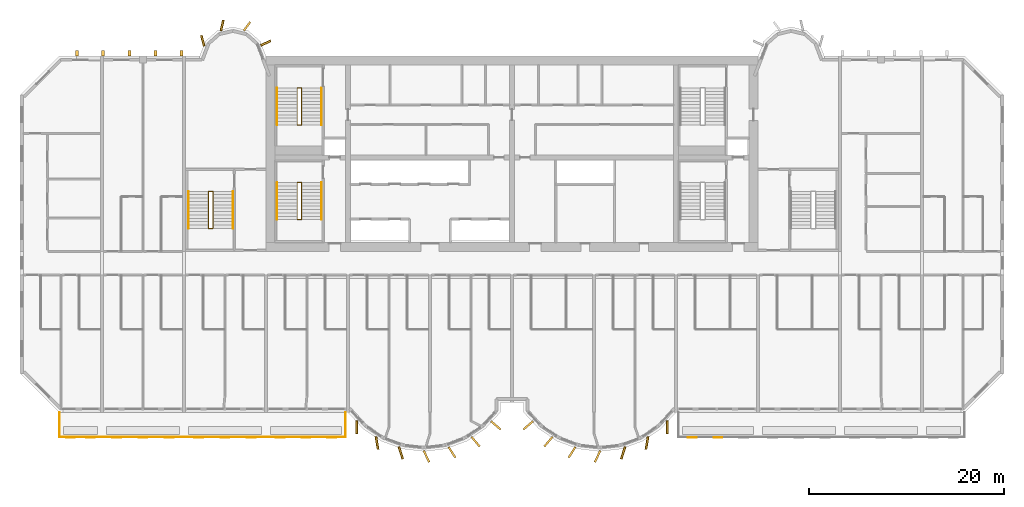
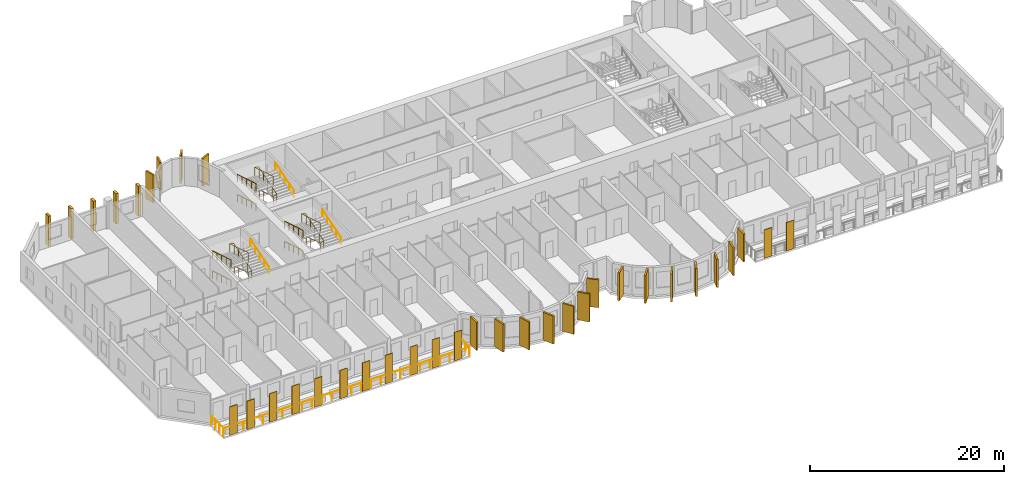
# One storey, part 12 of 14: 36 coverings, 13 railings.
"""IFC4 building model written with IfcOpenShell, lengths in metres."""

from ifc_helpers import new_model, si_unit, direction, frame, origin, origin_2d, place, context, subcontext, project, spatial, rectangle, circle, extrude, source, transform, mapped, material, layer, layer_set, material_profile, profile_set, type_object, element, save


model = new_model("IFC4")

# Units and contexts
model_context = context("Model", 3, precision=1e-05, world=origin(), true_north=direction((0.0, 1.0)))
body_context = subcontext(model_context, "Body", "Model", "MODEL_VIEW")
ifc_project = project(units=[si_unit("LENGTHUNIT", "METRE"), si_unit("AREAUNIT", "SQUARE_METRE"), si_unit("VOLUMEUNIT", "CUBIC_METRE"), si_unit("PLANEANGLEUNIT", "RADIAN"), si_unit("MASSUNIT", "GRAM", prefix="KILO")], contexts=[model_context])

# Site, building, storey
site_placement = place(None, origin())
site = spatial("IfcSite", under=ifc_project, at=site_placement, CompositionType="ELEMENT")
building_placement = place(site_placement, origin())
building = spatial("IfcBuilding", under=site, at=building_placement, Name="Vanashikhar Sky Hotel", CompositionType="ELEMENT")
storey_placement = place(building_placement, frame((0.0, 0.0, 102.800048828125)))
storey = spatial("IfcBuildingStorey", under=building, at=storey_placement, Name="L24", CompositionType="ELEMENT", Elevation=102.800048828125)

# Railing
ifc_material_1 = material(Name="Stainless steel 316", Category="steel")
railing_type_1 = type_object("IfcRailingType", Name="Balcony guard 1100", PredefinedType="GUARDRAIL", material=ifc_material_1)
shared_shape_1 = source(origin(), body_context, "Body", "SweptSolid", [
    extrude(circle(Radius=0.02392578125, at=origin_2d()), frame((0.0, 0.0, 1.076171875), z_axis=(0.0, -1.0, 0.0), x_axis=(1.0, 0.0, 0.0)), (0.0, 0.0, 1.0), 2.5),
    extrude(circle(Radius=0.02392578125, at=origin_2d()), frame((0.0, -2.5, 1.076171875), z_axis=(1.0, 0.0, 0.0), x_axis=(0.0, 1.0, 0.0)), (0.0, 0.0, 1.0), 29.280029296875),
    extrude(circle(Radius=0.02392578125, at=origin_2d()), frame((29.280029296875, -2.5, 1.076171875), z_axis=(0.0, 1.0, 0.0), x_axis=(-1.0, 0.0, 0.0)), (0.0, 0.0, 1.0), 2.5),
    extrude(circle(Radius=0.02099609375, at=origin_2d()), origin(), (0.0, 0.0, 1.0), 1.052001953125),
    extrude(circle(Radius=0.02099609375, at=origin_2d()), frame((0.0, -0.833251953125, 0.0)), (0.0, 0.0, 1.0), 1.052001953125),
    extrude(circle(Radius=0.02099609375, at=origin_2d()), frame((0.0, -1.666748046875, 0.0)), (0.0, 0.0, 1.0), 1.052001953125),
    extrude(circle(Radius=0.02099609375, at=origin_2d()), frame((0.0, -2.5, 0.0)), (0.0, 0.0, 1.0), 1.052001953125),
    extrude(circle(Radius=0.02099609375, at=origin_2d()), frame((1.171142578125, -2.5, 0.0)), (0.0, 0.0, 1.0), 1.052001953125),
    extrude(circle(Radius=0.02099609375, at=origin_2d()), frame((2.34228515625, -2.5, 0.0)), (0.0, 0.0, 1.0), 1.052001953125),
    extrude(circle(Radius=0.02099609375, at=origin_2d()), frame((3.513671875, -2.5, 0.0)), (0.0, 0.0, 1.0), 1.052001953125),
    extrude(circle(Radius=0.02099609375, at=origin_2d()), frame((4.684814453125, -2.5, 0.0)), (0.0, 0.0, 1.0), 1.052001953125),
    extrude(circle(Radius=0.02099609375, at=origin_2d()), frame((5.85595703125, -2.5, 0.0)), (0.0, 0.0, 1.0), 1.052001953125),
    extrude(circle(Radius=0.02099609375, at=origin_2d()), frame((7.027099609375, -2.5, 0.0)), (0.0, 0.0, 1.0), 1.052001953125),
    extrude(circle(Radius=0.02099609375, at=origin_2d()), frame((8.198486328125, -2.5, 0.0)), (0.0, 0.0, 1.0), 1.052001953125),
    extrude(circle(Radius=0.02099609375, at=origin_2d()), frame((9.36962890625, -2.5, 0.0)), (0.0, 0.0, 1.0), 1.052001953125),
    extrude(circle(Radius=0.02099609375, at=origin_2d()), frame((10.540771484375, -2.5, 0.0)), (0.0, 0.0, 1.0), 1.052001953125),
    extrude(circle(Radius=0.02099609375, at=origin_2d()), frame((11.7119140625, -2.5, 0.0)), (0.0, 0.0, 1.0), 1.052001953125),
    extrude(circle(Radius=0.02099609375, at=origin_2d()), frame((12.88330078125, -2.5, 0.0)), (0.0, 0.0, 1.0), 1.052001953125),
    extrude(circle(Radius=0.02099609375, at=origin_2d()), frame((14.054443359375, -2.5, 0.0)), (0.0, 0.0, 1.0), 1.052001953125),
    extrude(circle(Radius=0.02099609375, at=origin_2d()), frame((15.2255859375, -2.5, 0.0)), (0.0, 0.0, 1.0), 1.052001953125),
    extrude(circle(Radius=0.02099609375, at=origin_2d()), frame((16.396728515625, -2.5, 0.0)), (0.0, 0.0, 1.0), 1.052001953125),
    extrude(circle(Radius=0.02099609375, at=origin_2d()), frame((17.568115234375, -2.5, 0.0)), (0.0, 0.0, 1.0), 1.052001953125),
    extrude(circle(Radius=0.02099609375, at=origin_2d()), frame((18.7392578125, -2.5, 0.0)), (0.0, 0.0, 1.0), 1.052001953125),
    extrude(circle(Radius=0.02099609375, at=origin_2d()), frame((19.910400390625, -2.5, 0.0)), (0.0, 0.0, 1.0), 1.052001953125),
    extrude(circle(Radius=0.02099609375, at=origin_2d()), frame((21.08154296875, -2.5, 0.0)), (0.0, 0.0, 1.0), 1.052001953125),
    extrude(circle(Radius=0.02099609375, at=origin_2d()), frame((22.2529296875, -2.5, 0.0)), (0.0, 0.0, 1.0), 1.052001953125),
    extrude(circle(Radius=0.02099609375, at=origin_2d()), frame((23.424072265625, -2.5, 0.0)), (0.0, 0.0, 1.0), 1.052001953125),
    extrude(circle(Radius=0.02099609375, at=origin_2d()), frame((24.59521484375, -2.5, 0.0)), (0.0, 0.0, 1.0), 1.052001953125),
    extrude(circle(Radius=0.02099609375, at=origin_2d()), frame((25.766357421875, -2.5, 0.0)), (0.0, 0.0, 1.0), 1.052001953125),
    extrude(circle(Radius=0.02099609375, at=origin_2d()), frame((26.937744140625, -2.5, 0.0)), (0.0, 0.0, 1.0), 1.052001953125),
    extrude(circle(Radius=0.02099609375, at=origin_2d()), frame((28.10888671875, -2.5, 0.0)), (0.0, 0.0, 1.0), 1.052001953125),
    extrude(circle(Radius=0.02099609375, at=origin_2d()), frame((29.280029296875, -2.5, 0.0)), (0.0, 0.0, 1.0), 1.052001953125),
    extrude(circle(Radius=0.02099609375, at=origin_2d()), frame((29.280029296875, -1.666748046875, 0.0)), (0.0, 0.0, 1.0), 1.052001953125),
    extrude(circle(Radius=0.02099609375, at=origin_2d()), frame((29.280029296875, -0.833251953125, 0.0)), (0.0, 0.0, 1.0), 1.052001953125),
    extrude(circle(Radius=0.02099609375, at=origin_2d()), frame((29.280029296875, 0.0, 0.0)), (0.0, 0.0, 1.0), 1.052001953125),
])
railing_1_placement = place(storey_placement, frame((4.06005859375, 5.5, -0.050048828125)))
element("IfcRailing", 1, at=railing_1_placement, inside=storey, type_object=railing_type_1, Name="Balcony guard", PredefinedType="GUARDRAIL", context=body_context, shape_type="MappedRepresentation", body=[
    mapped(shared_shape_1, transform((0.0, 0.0, 0.0), scale=1.0)),
])

# Coverings
ifc_material_2 = material(Name="Terracotta", Category="masonry")
ifc_layer = layer(ifc_material_2, 0.06005859375)
ifc_layer_set = layer_set([ifc_layer], Name="Terracotta baguette screen")
covering_type_1 = type_object("IfcCoveringType", Name="Terracotta baguette screen", PredefinedType="CLADDING", material=ifc_layer_set)
shared_shape_2 = source(origin(), body_context, "Body", "SweptSolid", [
    extrude(rectangle(XDim=0.89990234375, YDim=0.06005859375, at=origin_2d()), origin(), (0.0, 0.0, 1.0), 3.60009765625),
])
for number, where, z_axis, x_axis, name in (
    (2, (5.175048828125, 2.929931640625, -0.050048828125), (0.0, 0.0, 1.0), (1.0, 0.0, 0.0), "Terracotta screen"),
    (3, (7.22509765625, 2.929931640625, -0.050048828125), (0.0, 0.0, 1.0), (1.0, 0.0, 0.0), "Terracotta screen"),
    (4, (9.89990234375, 2.929931640625, -0.050048828125), (0.0, 0.0, 1.0), (1.0, 0.0, 0.0), "Terracotta screen"),
    (5, (12.60009765625, 2.929931640625, -0.050048828125), (0.0, 0.0, 1.0), (1.0, 0.0, 0.0), "Terracotta screen"),
    (6, (15.300048828125, 2.929931640625, -0.050048828125), (0.0, 0.0, 1.0), (1.0, 0.0, 0.0), "Terracotta screen"),
    (7, (18.300048828125, 2.929931640625, -0.050048828125), (0.0, 0.0, 1.0), (1.0, 0.0, 0.0), "Terracotta screen"),
    (8, (21.0, 2.929931640625, -0.050048828125), (0.0, 0.0, 1.0), (1.0, 0.0, 0.0), "Terracotta screen"),
    (9, (23.699951171875, 2.929931640625, -0.050048828125), (0.0, 0.0, 1.0), (1.0, 0.0, 0.0), "Terracotta screen"),
    (10, (26.666748046875, 2.929931640625, -0.050048828125), (0.0, 0.0, 1.0), (1.0, 0.0, 0.0), "Terracotta screen"),
    (11, (29.300048828125, 2.929931640625, -0.050048828125), (0.0, 0.0, 1.0), (1.0, 0.0, 0.0), "Terracotta screen"),
    (12, (31.933349609375, 2.929931640625, -0.050048828125), (0.0, 0.0, 1.0), (1.0, 0.0, 0.0), "Terracotta screen"),
    (13, (68.86669921875, 2.929931640625, -0.050048828125), (0.0, 0.0, 1.0), (1.0, 0.0, 0.0), "Terracotta screen"),
    (14, (71.5, 2.929931640625, -0.050048828125), (0.0, 0.0, 1.0), (1.0, 0.0, 0.0), "Terracotta screen"),
):
    element("IfcCovering", number, at=place(storey_placement, frame(where, z_axis=z_axis, x_axis=x_axis)), inside=storey, type_object=covering_type_1, Name=name, PredefinedType="CLADDING", context=body_context, shape_type="MappedRepresentation", body=[
        mapped(shared_shape_2, transform((0.0, 0.0, 0.0), scale=1.0)),
    ])
ifc_material_3 = material(Name="Concrete M60 dark", Category="concrete")
ifc_material_profile_1 = material_profile(ifc_material_3, rectangle(XDim=1.300048828125, YDim=0.199951171875, at=origin_2d()))
ifc_profile_set_1 = profile_set([ifc_material_profile_1], Name="Fin 1300 x 200")
covering_type_2 = type_object("IfcCoveringType", Name="Fin 1300 x 200", PredefinedType="CLADDING", material=ifc_profile_set_1)
shared_shape_3 = source(origin(), body_context, "Body", "SweptSolid", [
    extrude(rectangle(XDim=1.300048828125, YDim=0.199951171875, at=origin_2d()), origin(), (0.0, 0.0, 1.0), 3.52001953125),
])
for number, where, z_axis, x_axis, name in (
    (15, (34.482421875, 3.992919921875, 0.0), (0.0, 0.0, 1.0), (0.011588726826, -0.999932848451, 0.0), "Fin F1-1"),
    (16, (36.572509765625, 2.3779296875, 0.0), (0.0, 0.0, 1.0), (0.16989991575, -0.985461322746, 0.0), "Fin F1-2"),
    (17, (39.00830078125, 1.35693359375, 0.0), (0.0, 0.0, 1.0), (0.303966551867, -0.952682704444, 0.0), "Fin F1-3"),
    (18, (41.63232421875, 1.00146484375, 0.0), (0.0, 0.0, 1.0), (0.422618261741, -0.906307787037, 0.0), "Fin F1-4"),
    (19, (44.251953125, 1.416015625, 0.0), (0.0, 0.0, 1.0), (0.534411358496, -0.845224526331, 0.0), "Fin F1-5"),
    (20, (46.676025390625, 2.5, 0.0), (0.0, 0.0, 1.0), (0.645697609467, -0.763593214433, 0.0), "Fin F1-6"),
    (21, (48.7412109375, 4.1845703125, 0.0), (0.0, 0.0, 1.0), (0.758543912032, -0.65162192529, 0.0), "Fin F1-7"),
    (22, (52.058837890625, 4.1845703125, 0.0), (0.0, 0.0, 1.0), (-0.758543912032, -0.65162192529, 0.0), "Fin F2-1"),
    (23, (54.123779296875, 2.5, 0.0), (0.0, 0.0, 1.0), (-0.645697609467, -0.763593214433, 0.0), "Fin F2-2"),
    (24, (56.547119140625, 1.416015625, 0.0), (0.0, 0.0, 1.0), (-0.534411358496, -0.845224526331, 0.0), "Fin F2-3"),
    (25, (59.16748046875, 1.00146484375, 0.0), (0.0, 0.0, 1.0), (-0.422618261741, -0.906307787037, 0.0), "Fin F2-4"),
    (26, (61.790771484375, 1.35693359375, 0.0), (0.0, 0.0, 1.0), (-0.303966551867, -0.952682704444, 0.0), "Fin F2-5"),
    (27, (64.2275390625, 2.3779296875, 0.0), (0.0, 0.0, 1.0), (-0.16989991575, -0.985461322746, 0.0), "Fin F2-6"),
    (28, (66.317626953125, 3.992919921875, 0.0), (0.0, 0.0, 1.0), (-0.011588726826, -0.999932848451, 0.0), "Fin F2-7"),
):
    element("IfcCovering", number, at=place(storey_placement, frame(where, z_axis=z_axis, x_axis=x_axis)), inside=storey, type_object=covering_type_2, Name=name, PredefinedType="CLADDING", context=body_context, shape_type="MappedRepresentation", body=[
        mapped(shared_shape_3, transform((0.0, 0.0, 0.0), scale=1.0)),
    ])
ifc_material_profile_2 = material_profile(ifc_material_3, rectangle(XDim=1.10009765625, YDim=0.199951171875, at=origin_2d()))
ifc_profile_set_2 = profile_set([ifc_material_profile_2], Name="Rear lobe fin 1100 x 200")
covering_type_3 = type_object("IfcCoveringType", Name="Rear lobe fin 1100 x 200", PredefinedType="CLADDING", material=ifc_profile_set_2)
shared_shape_4 = source(origin(), body_context, "Body", "SweptSolid", [
    extrude(rectangle(XDim=1.10009765625, YDim=0.199951171875, at=origin_2d()), origin(), (0.0, 0.0, 1.0), 3.52001953125),
])
for number, where, z_axis, x_axis, name in (
    (29, (18.720703125, 43.580078125, 0.0), (0.0, 0.0, 1.0), (-0.262711264409, 0.964874495234, 0.0), "Fin R1-1"),
    (30, (20.710205078125, 45.1455078125, 0.0), (0.0, 0.0, 1.0), (0.224644935864, 0.974440687159, 0.0), "Fin R1-2"),
    (31, (23.261962890625, 45.06640625, 0.0), (0.0, 0.0, 1.0), (0.602065892195, 0.798446404874, 0.0), "Fin R1-3"),
    (32, (25.169677734375, 43.33447265625, 0.0), (0.0, 0.0, 1.0), (0.908004291068, 0.418960866193, 0.0), "Fin R1-4"),
):
    element("IfcCovering", number, at=place(storey_placement, frame(where, z_axis=z_axis, x_axis=x_axis)), inside=storey, type_object=covering_type_3, Name=name, PredefinedType="CLADDING", context=body_context, shape_type="MappedRepresentation", body=[
        mapped(shared_shape_4, transform((0.0, 0.0, 0.0), scale=1.0)),
    ])
ifc_material_profile_3 = material_profile(ifc_material_3, rectangle(XDim=0.60009765625, YDim=0.300048828125, at=origin_2d()))
ifc_profile_set_3 = profile_set([ifc_material_profile_3], Name="Rear rib 600 x 300")
covering_type_4 = type_object("IfcCoveringType", Name="Rear rib 600 x 300", PredefinedType="CLADDING", material=ifc_profile_set_3)
shared_shape_5 = source(origin(), body_context, "Body", "SweptSolid", [
    extrude(rectangle(XDim=0.60009765625, YDim=0.300048828125, at=origin_2d()), origin(), (0.0, 0.0, 1.0), 3.800048828125),
])
for number, where, z_axis, x_axis, name in (
    (33, (5.840087890625, 42.300048828125, -0.280029296875), (0.0, 0.0, 1.0), (0.0, 1.0, 0.0), "Rear rib"),
    (34, (8.52001953125, 42.300048828125, -0.280029296875), (0.0, 0.0, 1.0), (0.0, 1.0, 0.0), "Rear rib"),
    (35, (11.199951171875, 42.300048828125, -0.280029296875), (0.0, 0.0, 1.0), (0.0, 1.0, 0.0), "Rear rib"),
    (36, (13.8798828125, 42.300048828125, -0.280029296875), (0.0, 0.0, 1.0), (0.0, 1.0, 0.0), "Rear rib"),
    (37, (16.56005859375, 42.300048828125, -0.280029296875), (0.0, 0.0, 1.0), (0.0, 1.0, 0.0), "Rear rib"),
):
    element("IfcCovering", number, at=place(storey_placement, frame(where, z_axis=z_axis, x_axis=x_axis)), inside=storey, type_object=covering_type_4, Name=name, PredefinedType="CLADDING", context=body_context, shape_type="MappedRepresentation", body=[
        mapped(shared_shape_5, transform((0.0, 0.0, 0.0), scale=1.0)),
    ])

# Railings
ifc_material_4 = material(Name="Steel S355", Category="steel")
railing_type_2 = type_object("IfcRailingType", Name="Stair handrail 900", PredefinedType="HANDRAIL", material=ifc_material_4)
shared_shape_6 = source(origin(), body_context, "Body", "SweptSolid", [
    extrude(circle(Radius=0.02392578125, at=origin_2d()), frame((0.0, 0.0, 0.8759765625), z_axis=(0.0, 0.95635109408, 0.292220096591), x_axis=(-1.0, 0.0, 0.0)), (0.0, 0.0, 1.0), 3.973388671875),
    extrude(circle(Radius=0.02099609375, at=origin_2d()), origin(), (0.0, 0.0, 1.0), 0.851806640625),
    extrude(circle(Radius=0.02099609375, at=origin_2d()), frame((0.0, 0.949951171875, 0.290283203125)), (0.0, 0.0, 1.0), 0.851806640625),
    extrude(circle(Radius=0.02099609375, at=origin_2d()), frame((0.0, 1.89990234375, 0.58056640625)), (0.0, 0.0, 1.0), 0.851806640625),
    extrude(circle(Radius=0.02099609375, at=origin_2d()), frame((0.0, 2.85009765625, 0.870849609375)), (0.0, 0.0, 1.0), 0.851806640625),
    extrude(circle(Radius=0.02099609375, at=origin_2d()), frame((0.0, 3.800048828125, 1.1611328125)), (0.0, 0.0, 1.0), 0.851806640625),
])
for number, where, name in (
    (38, (30.89990234375, 25.25, 1.3720703125), "Exit stair 1 handrail"),
    (39, (30.89990234375, 34.949951171875, 1.3720703125), "Exit stair 5 handrail"),
):
    element("IfcRailing", number, at=place(storey_placement, frame(where)), inside=storey, type_object=railing_type_2, Name=name, PredefinedType="HANDRAIL", context=body_context, shape_type="MappedRepresentation", body=[
        mapped(shared_shape_6, transform((0.0, 0.0, 0.0), scale=1.0)),
    ])
shared_shape_7 = source(origin(), body_context, "Body", "SweptSolid", [
    extrude(circle(Radius=0.02392578125, at=origin_2d()), frame((0.0, 0.0, 0.8759765625), z_axis=(0.0, -0.95635109408, 0.292220096591), x_axis=(1.0, 0.0, 0.0)), (0.0, 0.0, 1.0), 3.973388671875),
    extrude(circle(Radius=0.02099609375, at=origin_2d()), origin(), (0.0, 0.0, 1.0), 0.851806640625),
    extrude(circle(Radius=0.02099609375, at=origin_2d()), frame((0.0, -0.949951171875, 0.290283203125)), (0.0, 0.0, 1.0), 0.851806640625),
    extrude(circle(Radius=0.02099609375, at=origin_2d()), frame((0.0, -1.89990234375, 0.58056640625)), (0.0, 0.0, 1.0), 0.851806640625),
    extrude(circle(Radius=0.02099609375, at=origin_2d()), frame((0.0, -2.85009765625, 0.870849609375)), (0.0, 0.0, 1.0), 0.851806640625),
    extrude(circle(Radius=0.02099609375, at=origin_2d()), frame((0.0, -3.800048828125, 1.1611328125)), (0.0, 0.0, 1.0), 0.851806640625),
])
for number, where, name in (
    (40, (26.35009765625, 29.050048828125, 0.10546875), "Exit stair 1 handrail"),
    (41, (26.35009765625, 29.050048828125, 2.638916015625), "Exit stair 1 handrail"),
    (42, (26.35009765625, 38.75, 0.10546875), "Exit stair 5 handrail"),
    (43, (26.35009765625, 38.75, 2.638916015625), "Exit stair 5 handrail"),
):
    element("IfcRailing", number, at=place(storey_placement, frame(where)), inside=storey, type_object=railing_type_2, Name=name, PredefinedType="HANDRAIL", context=body_context, shape_type="MappedRepresentation", body=[
        mapped(shared_shape_7, transform((0.0, 0.0, 0.0), scale=1.0)),
    ])
railing_type_3 = type_object("IfcRailingType", Name="Stair guard 1100", PredefinedType="GUARDRAIL", material=ifc_material_4)
shared_shape_8 = source(origin(), body_context, "Body", "SweptSolid", [
    extrude(circle(Radius=0.02392578125, at=origin_2d()), frame((0.0, 0.0, 1.076171875), z_axis=(-0.973638301096, 0.0, 0.228097476179), x_axis=(0.0, -1.0, 0.0)), (0.0, 0.0, 1.0), 0.46240234375),
    extrude(circle(Radius=0.02392578125, at=origin_2d()), frame((-0.4501953125, 0.0, 1.181640625), z_axis=(0.0, -0.95635109408, 0.292220096591), x_axis=(1.0, 0.0, 0.0)), (0.0, 0.0, 1.0), 3.973388671875),
    extrude(circle(Radius=0.02392578125, at=origin_2d()), frame((-0.4501953125, -3.800048828125, 2.3427734375), z_axis=(0.973638301096, 0.0, 0.228097476179), x_axis=(0.0, 1.0, 0.0)), (0.0, 0.0, 1.0), 0.46240234375),
    extrude(circle(Radius=0.02392578125, at=origin_2d()), frame((0.0, -3.800048828125, 2.4482421875), z_axis=(0.0, 0.95635109408, 0.292220096591), x_axis=(-1.0, 0.0, 0.0)), (0.0, 0.0, 1.0), 3.973388671875),
    extrude(circle(Radius=0.02392578125, at=origin_2d()), frame((0.0, 0.0, 3.609375), z_axis=(-0.973520925263, 0.0, 0.228597917917), x_axis=(0.0, -1.0, 0.0)), (0.0, 0.0, 1.0), 0.46240234375),
    extrude(circle(Radius=0.02392578125, at=origin_2d()), frame((-0.4501953125, 0.0, 3.71484375), z_axis=(0.0, -0.95635109408, 0.292220096591), x_axis=(1.0, 0.0, 0.0)), (0.0, 0.0, 1.0), 3.973388671875),
    extrude(circle(Radius=0.02099609375, at=origin_2d()), origin(), (0.0, 0.0, 1.0), 1.052001953125),
    extrude(circle(Radius=0.02099609375, at=origin_2d()), frame((-0.4501953125, 0.0, 0.10546875)), (0.0, 0.0, 1.0), 1.052001953125),
    extrude(circle(Radius=0.02099609375, at=origin_2d()), frame((-0.4501953125, -0.949951171875, 0.395751953125)), (0.0, 0.0, 1.0), 1.052001953125),
    extrude(circle(Radius=0.02099609375, at=origin_2d()), frame((-0.4501953125, -1.89990234375, 0.68603515625)), (0.0, 0.0, 1.0), 1.052001953125),
    extrude(circle(Radius=0.02099609375, at=origin_2d()), frame((-0.4501953125, -2.85009765625, 0.976318359375)), (0.0, 0.0, 1.0), 1.052001953125),
    extrude(circle(Radius=0.02099609375, at=origin_2d()), frame((-0.4501953125, -3.800048828125, 1.2666015625)), (0.0, 0.0, 1.0), 1.052001953125),
    extrude(circle(Radius=0.02099609375, at=origin_2d()), frame((0.0, -3.800048828125, 1.3720703125)), (0.0, 0.0, 1.0), 1.052001953125),
    extrude(circle(Radius=0.02099609375, at=origin_2d()), frame((0.0, -2.85009765625, 1.662353515625)), (0.0, 0.0, 1.0), 1.052001953125),
    extrude(circle(Radius=0.02099609375, at=origin_2d()), frame((0.0, -1.89990234375, 1.95263671875)), (0.0, 0.0, 1.0), 1.052001953125),
    extrude(circle(Radius=0.02099609375, at=origin_2d()), frame((0.0, -0.949951171875, 2.242919921875)), (0.0, 0.0, 1.0), 1.052001953125),
    extrude(circle(Radius=0.02099609375, at=origin_2d()), frame((0.0, 0.0, 2.533203125)), (0.0, 0.0, 1.0), 1.052001953125),
    extrude(circle(Radius=0.02099609375, at=origin_2d()), frame((-0.4501953125, 0.0, 2.638916015625)), (0.0, 0.0, 1.0), 1.052001953125),
    extrude(circle(Radius=0.02099609375, at=origin_2d()), frame((-0.4501953125, -0.949951171875, 2.92919921875)), (0.0, 0.0, 1.0), 1.052001953125),
    extrude(circle(Radius=0.02099609375, at=origin_2d()), frame((-0.4501953125, -1.89990234375, 3.219482421875)), (0.0, 0.0, 1.0), 1.052001953125),
    extrude(circle(Radius=0.02099609375, at=origin_2d()), frame((-0.4501953125, -2.85009765625, 3.509765625)), (0.0, 0.0, 1.0), 1.052001953125),
    extrude(circle(Radius=0.02099609375, at=origin_2d()), frame((-0.4501953125, -3.800048828125, 3.800048828125)), (0.0, 0.0, 1.0), 1.052001953125),
])
for number, where, name in (
    (44, (28.85009765625, 29.050048828125, 0.0), "Exit stair 1 guard"),
    (45, (28.85009765625, 38.75, 0.0), "Exit stair 5 guard"),
):
    element("IfcRailing", number, at=place(storey_placement, frame(where)), inside=storey, type_object=railing_type_3, Name=name, PredefinedType="GUARDRAIL", context=body_context, shape_type="MappedRepresentation", body=[
        mapped(shared_shape_8, transform((0.0, 0.0, 0.0), scale=1.0)),
    ])
shared_shape_9 = source(origin(), body_context, "Body", "SweptSolid", [
    extrude(circle(Radius=0.02392578125, at=origin_2d()), frame((0.0, 0.0, 0.8759765625), z_axis=(0.0, 0.956345846891, 0.292237268557), x_axis=(-1.0, 0.0, 0.0)), (0.0, 0.0, 1.0), 3.97314453125),
    extrude(circle(Radius=0.02099609375, at=origin_2d()), origin(), (0.0, 0.0, 1.0), 0.851806640625),
    extrude(circle(Radius=0.02099609375, at=origin_2d()), frame((0.0, 0.949951171875, 0.290283203125)), (0.0, 0.0, 1.0), 0.851806640625),
    extrude(circle(Radius=0.02099609375, at=origin_2d()), frame((0.0, 1.89990234375, 0.58056640625)), (0.0, 0.0, 1.0), 0.851806640625),
    extrude(circle(Radius=0.02099609375, at=origin_2d()), frame((0.0, 2.849853515625, 0.870849609375)), (0.0, 0.0, 1.0), 0.851806640625),
    extrude(circle(Radius=0.02099609375, at=origin_2d()), frame((0.0, 3.7998046875, 1.1611328125)), (0.0, 0.0, 1.0), 0.851806640625),
])
railing_2_placement = place(storey_placement, frame((21.800048828125, 24.35009765625, 1.3720703125)))
element("IfcRailing", 46, at=railing_2_placement, inside=storey, type_object=railing_type_2, Name="Exit stair 3 handrail", PredefinedType="HANDRAIL", context=body_context, shape_type="MappedRepresentation", body=[
    mapped(shared_shape_9, transform((0.0, 0.0, 0.0), scale=1.0)),
])
shared_shape_10 = source(origin(), body_context, "Body", "SweptSolid", [
    extrude(circle(Radius=0.02392578125, at=origin_2d()), frame((0.0, 0.0, 0.8759765625), z_axis=(0.0, -0.956345846891, 0.292237268557), x_axis=(1.0, 0.0, 0.0)), (0.0, 0.0, 1.0), 3.97314453125),
    extrude(circle(Radius=0.02099609375, at=origin_2d()), origin(), (0.0, 0.0, 1.0), 0.851806640625),
    extrude(circle(Radius=0.02099609375, at=origin_2d()), frame((0.0, -0.949951171875, 0.290283203125)), (0.0, 0.0, 1.0), 0.851806640625),
    extrude(circle(Radius=0.02099609375, at=origin_2d()), frame((0.0, -1.89990234375, 0.58056640625)), (0.0, 0.0, 1.0), 0.851806640625),
    extrude(circle(Radius=0.02099609375, at=origin_2d()), frame((0.0, -2.849853515625, 0.870849609375)), (0.0, 0.0, 1.0), 0.851806640625),
    extrude(circle(Radius=0.02099609375, at=origin_2d()), frame((0.0, -3.7998046875, 1.1611328125)), (0.0, 0.0, 1.0), 0.851806640625),
])
for number, where, name in (
    (47, (17.25, 28.14990234375, 0.10546875), "Exit stair 3 handrail"),
    (48, (17.25, 28.14990234375, 2.638916015625), "Exit stair 3 handrail"),
):
    element("IfcRailing", number, at=place(storey_placement, frame(where)), inside=storey, type_object=railing_type_2, Name=name, PredefinedType="HANDRAIL", context=body_context, shape_type="MappedRepresentation", body=[
        mapped(shared_shape_10, transform((0.0, 0.0, 0.0), scale=1.0)),
    ])
shared_shape_11 = source(origin(), body_context, "Body", "SweptSolid", [
    extrude(circle(Radius=0.02392578125, at=origin_2d()), frame((0.0, 0.0, 1.076171875), z_axis=(-0.973610808694, 0.0, 0.228214796178), x_axis=(0.0, -1.0, 0.0)), (0.0, 0.0, 1.0), 0.462158203125),
    extrude(circle(Radius=0.02392578125, at=origin_2d()), frame((-0.449951171875, 0.0, 1.181640625), z_axis=(0.0, -0.956345846891, 0.292237268557), x_axis=(1.0, 0.0, 0.0)), (0.0, 0.0, 1.0), 3.97314453125),
    extrude(circle(Radius=0.02392578125, at=origin_2d()), frame((-0.449951171875, -3.7998046875, 2.3427734375), z_axis=(0.973610808694, 0.0, 0.228214796178), x_axis=(0.0, 1.0, 0.0)), (0.0, 0.0, 1.0), 0.462158203125),
    extrude(circle(Radius=0.02392578125, at=origin_2d()), frame((0.0, -3.7998046875, 2.4482421875), z_axis=(0.0, 0.956345846891, 0.292237268557), x_axis=(-1.0, 0.0, 0.0)), (0.0, 0.0, 1.0), 3.97314453125),
    extrude(circle(Radius=0.02392578125, at=origin_2d()), frame((0.0, 0.0, 3.609375), z_axis=(-0.973493315427, 0.0, 0.228715466945), x_axis=(0.0, -1.0, 0.0)), (0.0, 0.0, 1.0), 0.462158203125),
    extrude(circle(Radius=0.02392578125, at=origin_2d()), frame((-0.449951171875, 0.0, 3.71484375), z_axis=(0.0, -0.956345846891, 0.292237268557), x_axis=(1.0, 0.0, 0.0)), (0.0, 0.0, 1.0), 3.97314453125),
    extrude(circle(Radius=0.02099609375, at=origin_2d()), origin(), (0.0, 0.0, 1.0), 1.052001953125),
    extrude(circle(Radius=0.02099609375, at=origin_2d()), frame((-0.449951171875, 0.0, 0.10546875)), (0.0, 0.0, 1.0), 1.052001953125),
    extrude(circle(Radius=0.02099609375, at=origin_2d()), frame((-0.449951171875, -0.949951171875, 0.395751953125)), (0.0, 0.0, 1.0), 1.052001953125),
    extrude(circle(Radius=0.02099609375, at=origin_2d()), frame((-0.449951171875, -1.89990234375, 0.68603515625)), (0.0, 0.0, 1.0), 1.052001953125),
    extrude(circle(Radius=0.02099609375, at=origin_2d()), frame((-0.449951171875, -2.849853515625, 0.976318359375)), (0.0, 0.0, 1.0), 1.052001953125),
    extrude(circle(Radius=0.02099609375, at=origin_2d()), frame((-0.449951171875, -3.7998046875, 1.2666015625)), (0.0, 0.0, 1.0), 1.052001953125),
    extrude(circle(Radius=0.02099609375, at=origin_2d()), frame((0.0, -3.7998046875, 1.3720703125)), (0.0, 0.0, 1.0), 1.052001953125),
    extrude(circle(Radius=0.02099609375, at=origin_2d()), frame((0.0, -2.849853515625, 1.662353515625)), (0.0, 0.0, 1.0), 1.052001953125),
    extrude(circle(Radius=0.02099609375, at=origin_2d()), frame((0.0, -1.89990234375, 1.95263671875)), (0.0, 0.0, 1.0), 1.052001953125),
    extrude(circle(Radius=0.02099609375, at=origin_2d()), frame((0.0, -0.949951171875, 2.242919921875)), (0.0, 0.0, 1.0), 1.052001953125),
    extrude(circle(Radius=0.02099609375, at=origin_2d()), frame((0.0, 0.0, 2.533203125)), (0.0, 0.0, 1.0), 1.052001953125),
    extrude(circle(Radius=0.02099609375, at=origin_2d()), frame((-0.449951171875, 0.0, 2.638916015625)), (0.0, 0.0, 1.0), 1.052001953125),
    extrude(circle(Radius=0.02099609375, at=origin_2d()), frame((-0.449951171875, -0.949951171875, 2.92919921875)), (0.0, 0.0, 1.0), 1.052001953125),
    extrude(circle(Radius=0.02099609375, at=origin_2d()), frame((-0.449951171875, -1.89990234375, 3.219482421875)), (0.0, 0.0, 1.0), 1.052001953125),
    extrude(circle(Radius=0.02099609375, at=origin_2d()), frame((-0.449951171875, -2.849853515625, 3.509765625)), (0.0, 0.0, 1.0), 1.052001953125),
    extrude(circle(Radius=0.02099609375, at=origin_2d()), frame((-0.449951171875, -3.7998046875, 3.800048828125)), (0.0, 0.0, 1.0), 1.052001953125),
])
railing_3_placement = place(storey_placement, frame((19.75, 28.14990234375, 0.0)))
element("IfcRailing", 49, at=railing_3_placement, inside=storey, type_object=railing_type_3, Name="Exit stair 3 guard", PredefinedType="GUARDRAIL", context=body_context, shape_type="MappedRepresentation", body=[
    mapped(shared_shape_11, transform((0.0, 0.0, 0.0), scale=1.0)),
])

save(model, "model.ifc")
